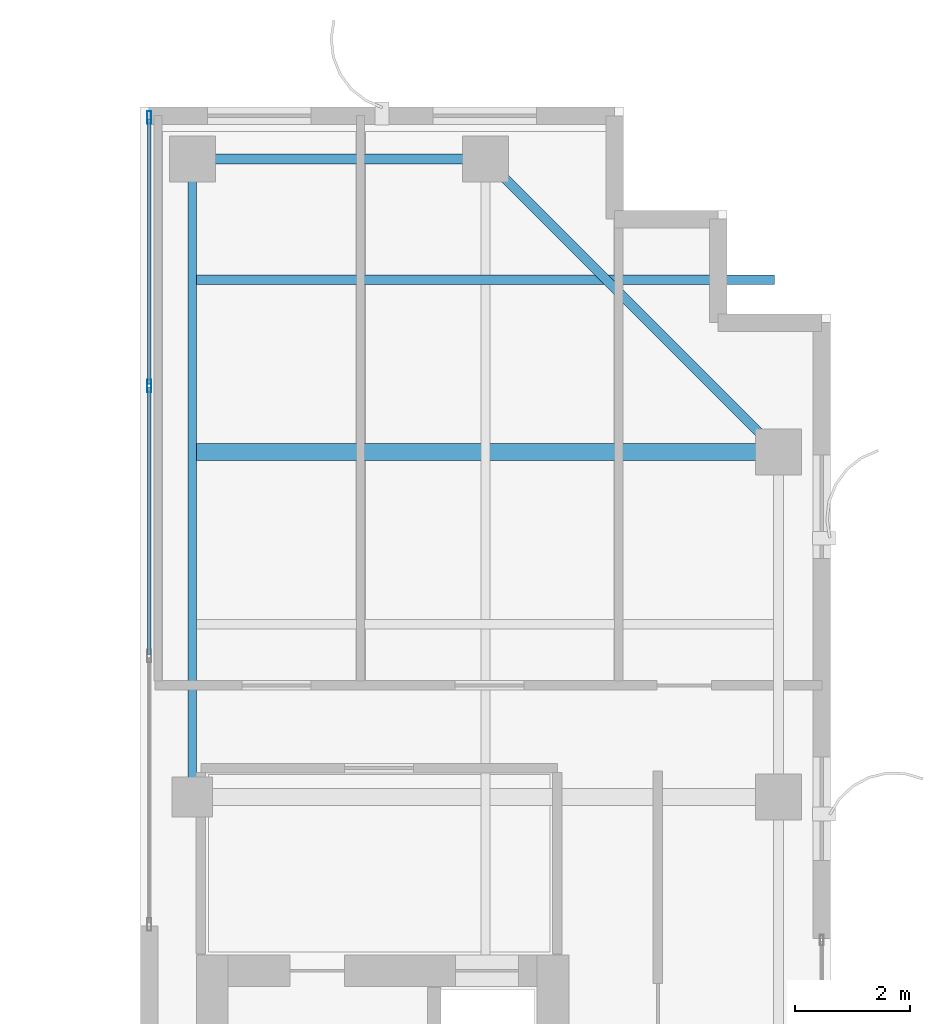
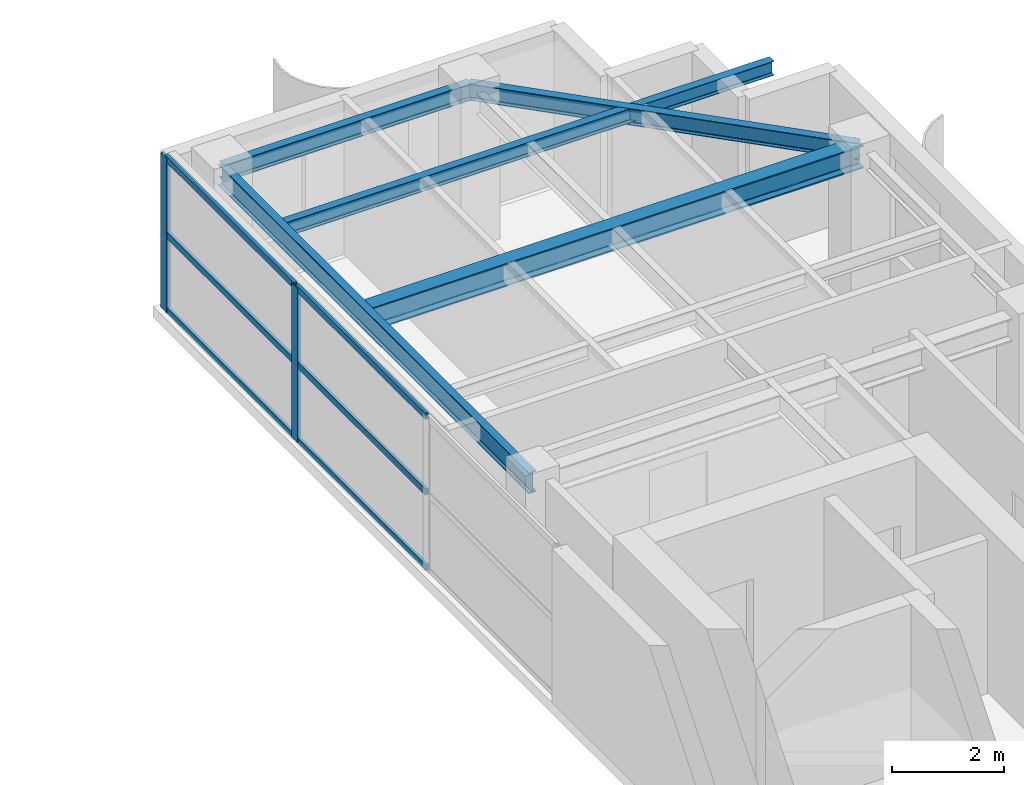
# One storey, part 16 of 24: 8 members, 5 beams, 1 element without a shape of its own.
"""IFC4 building model written with IfcOpenShell, lengths in metres."""

from ifc_helpers import new_model, si_unit, direction, frame, origin, origin_2d, place, context, subcontext, project, spatial, hollow_rectangle, i_section, extrude, source, transform, mapped, material, layer, layer_set, material_profile, profile_set, type_object, element, aggregate, save


model = new_model("IFC4")

# Units and contexts
model_context = context("Model", 3, precision=1e-05, world=origin(), true_north=direction((0.0, 1.0)))
body_context = subcontext(model_context, "Body", "Model", "MODEL_VIEW")
ifc_project = project(units=[si_unit("LENGTHUNIT", "METRE"), si_unit("AREAUNIT", "SQUARE_METRE"), si_unit("VOLUMEUNIT", "CUBIC_METRE"), si_unit("PLANEANGLEUNIT", "RADIAN"), si_unit("MASSUNIT", "GRAM", prefix="KILO")], contexts=[model_context])

# Site, building, storey
site_placement = place(None, origin())
site = spatial("IfcSite", under=ifc_project, at=site_placement, CompositionType="ELEMENT")
building_placement = place(site_placement, origin())
building = spatial("IfcBuilding", under=site, at=building_placement, Name="Khoralis Quay Care Tower", CompositionType="ELEMENT")
storey_placement = place(building_placement, frame((0.0, 0.0, 231.300048828125)))
storey = spatial("IfcBuildingStorey", under=building, at=storey_placement, Name="L60", CompositionType="ELEMENT", Elevation=231.300048828125)

# Beams
ifc_material_1 = material(Name="Steel S355", Category="steel")
ifc_material_profile_1 = material_profile(ifc_material_1, i_section(OverallWidth=0.169921875, OverallDepth=0.360107421875, WebThickness=0.008056640625, FlangeThickness=0.0126953125, FilletRadius=0.01806640625, at=origin_2d()), Name="Steel S355")
ifc_profile_set_1 = profile_set([ifc_material_profile_1], Name="Steel S355")
beam_type_1 = type_object("IfcBeamType", Name="BM-IPE360", PredefinedType="SPANDREL", material=ifc_profile_set_1)
shared_shape_1 = source(origin(), body_context, "Body", "SweptSolid", [
    extrude(i_section(OverallWidth=0.169921875, OverallDepth=0.360107421875, WebThickness=0.008056640625, FlangeThickness=0.0126953125, FilletRadius=0.01806640625, at=origin_2d()), origin(), (0.0, 0.0, 1.0), 5.10009765625),
])
beam_1_placement = place(storey_placement, frame((30.89990234375, 41.10009765625, 3.179931640625), z_axis=(1.0, 0.0, 0.0), x_axis=(0.0, 1.0, 0.0)))
element("IfcBeam", 1, at=beam_1_placement, inside=storey, type_object=beam_type_1, Name="BM-TSP-L60-04", PredefinedType="SPANDREL", context=body_context, shape_type="MappedRepresentation", body=[
    mapped(shared_shape_1, transform((0.0, 0.0, 0.0), scale=1.0)),
])
ifc_material_profile_2 = material_profile(ifc_material_1, i_section(OverallWidth=0.154052734375, OverallDepth=0.458984375, WebThickness=0.009033203125, FlangeThickness=0.015380859375, FilletRadius=0.014892578125, at=origin_2d()), Name="Steel S355")
ifc_profile_set_2 = profile_set([ifc_material_profile_2], Name="Steel S355")
beam_type_2 = type_object("IfcBeamType", Name="BM-W460X68", PredefinedType="BEAM", material=ifc_profile_set_2)
shared_shape_2 = source(origin(), body_context, "Body", "SweptSolid", [
    extrude(i_section(OverallWidth=0.154052734375, OverallDepth=0.458984375, WebThickness=0.009033203125, FlangeThickness=0.015380859375, FilletRadius=0.014892578125, at=origin_2d()), origin(), (0.0, 0.0, 1.0), 11.10009765625),
])
beam_2_placement = place(storey_placement, frame((30.89990234375, 30.0, 3.13037109375), z_axis=(0.0, 1.0, 0.0), x_axis=(-1.0, 0.0, 0.0)))
element("IfcBeam", 2, at=beam_2_placement, inside=storey, type_object=beam_type_2, Name="BM-TGYN-L60-309", PredefinedType="BEAM", context=body_context, shape_type="MappedRepresentation", body=[
    mapped(shared_shape_2, transform((0.0, 0.0, 0.0), scale=1.0)),
])
shared_shape_3 = source(origin(), body_context, "Body", "SweptSolid", [
    extrude(i_section(OverallWidth=0.169921875, OverallDepth=0.360107421875, WebThickness=0.008056640625, FlangeThickness=0.0126953125, FilletRadius=0.01806640625, at=origin_2d()), origin(), (0.0, 0.0, 1.0), 7.212646484375),
])
beam_3_placement = place(storey_placement, frame((36.0, 41.10009765625, 3.179931640625), z_axis=(0.707106781187, -0.707106781187, 0.0), x_axis=(0.707106781187, 0.707106781187, 0.0)))
element("IfcBeam", 3, at=beam_3_placement, inside=storey, type_object=beam_type_1, Name="BM-TCR-L60-16", PredefinedType="SPANDREL", context=body_context, shape_type="MappedRepresentation", body=[
    mapped(shared_shape_3, transform((0.0, 0.0, 0.0), scale=1.0)),
])
ifc_material_profile_3 = material_profile(ifc_material_1, i_section(OverallWidth=0.300048828125, OverallDepth=0.5, WebThickness=0.014404296875, FlangeThickness=0.028076171875, FilletRadius=0.027099609375, at=origin_2d()), Name="Steel S355")
ifc_profile_set_3 = profile_set([ifc_material_profile_3], Name="Steel S355")
beam_type_3 = type_object("IfcBeamType", Name="BM-HEB500", PredefinedType="BEAM", material=ifc_profile_set_3)
shared_shape_4 = source(origin(), body_context, "Body", "SweptSolid", [
    extrude(i_section(OverallWidth=0.300048828125, OverallDepth=0.5, WebThickness=0.014404296875, FlangeThickness=0.028076171875, FilletRadius=0.027099609375, at=origin_2d()), origin(), (0.0, 0.0, 1.0), 10.135009765625),
])
beam_4_placement = place(storey_placement, frame((30.965087890625, 36.0, 3.10986328125), z_axis=(1.0, 0.0, 0.0), x_axis=(0.0, 1.0, 0.0)))
element("IfcBeam", 4, at=beam_4_placement, inside=storey, type_object=beam_type_3, Name="BM-TGXE-L60-360", PredefinedType="BEAM", context=body_context, shape_type="MappedRepresentation", body=[
    mapped(shared_shape_4, transform((0.0, 0.0, 0.0), scale=1.0)),
])
ifc_material_profile_4 = material_profile(ifc_material_1, i_section(OverallWidth=0.1650390625, OverallDepth=0.31005859375, WebThickness=0.005859375, FlangeThickness=0.009765625, FilletRadius=0.011962890625, at=origin_2d()), Name="Steel S355")
ifc_profile_set_4 = profile_set([ifc_material_profile_4], Name="Steel S355")
beam_type_4 = type_object("IfcBeamType", Name="BM-W310X39", PredefinedType="JOIST", material=ifc_profile_set_4)
shared_shape_5 = source(origin(), body_context, "Body", "SweptSolid", [
    extrude(i_section(OverallWidth=0.1650390625, OverallDepth=0.31005859375, WebThickness=0.005859375, FlangeThickness=0.009765625, FilletRadius=0.011962890625, at=origin_2d()), origin(), (0.0, 0.0, 1.0), 10.06396484375),
])
beam_5_placement = place(storey_placement, frame((30.965087890625, 39.0, 3.204833984375), z_axis=(1.0, 0.0, 0.0), x_axis=(0.0, 1.0, 0.0)))
element("IfcBeam", 5, at=beam_5_placement, inside=storey, type_object=beam_type_4, Name="BM-TJS-L60-22", PredefinedType="JOIST", context=body_context, shape_type="MappedRepresentation", body=[
    mapped(shared_shape_5, transform((0.0, 0.0, 0.0), scale=1.0)),
])

# Curtain wall, members
ifc_material_2 = material(Name="Pale anodised aluminium", Category="aluminium")
ifc_layer = layer(ifc_material_2, 0.18994140625)
ifc_layer_set = layer_set([ifc_layer], Name="Pale anodised aluminium")
curtain_wall_type = type_object("IfcCurtainWallType", Name="CW-SYS-PORTAL", PredefinedType="NOTDEFINED", material=ifc_layer_set)
curtain_wall_placement = place(storey_placement, origin())
curtain_wall = element("IfcCurtainWall", 6, at=curtain_wall_placement, inside=storey, type_object=curtain_wall_type, Name="L60 Unitised Curtain Wall CW-VP-L60-P2-N", PredefinedType="NOTDEFINED")
ifc_material_profile_5 = material_profile(ifc_material_2, hollow_rectangle(XDim=0.06005859375, YDim=0.139892578125, WallThickness=0.00390625, at=origin_2d()), Name="Pale anodised aluminium")
ifc_profile_set_5 = profile_set([ifc_material_profile_5], Name="Pale anodised aluminium")
member_type_1 = type_object("IfcMemberType", Name="CW-TRN-140", PredefinedType="USERDEFINED", material=ifc_profile_set_5)
shared_shape_6 = source(origin(), body_context, "Body", "SweptSolid", [
    extrude(hollow_rectangle(XDim=0.06005859375, YDim=0.139892578125, WallThickness=0.00390625, at=origin_2d()), origin(), (0.0, 0.0, 1.0), 4.610107421875),
])
member_1_placement = place(storey_placement, frame((30.14990234375, 37.179931640625, 0.030029296875), z_axis=(0.0, 1.0, 0.0), x_axis=(-1.0, 0.0, 0.0)))
member_1 = element("IfcMember", 7, at=member_1_placement, type_object=member_type_1, Name="CW4 transom 3.1", ObjectType="TRANSOM", PredefinedType="USERDEFINED", context=body_context, shape_type="MappedRepresentation", body=[
    mapped(shared_shape_6, transform((0.0, 0.0, 0.0), scale=1.0)),
])
member_2_placement = place(storey_placement, frame((30.14990234375, 37.179931640625, 1.679931640625), z_axis=(0.0, 1.0, 0.0), x_axis=(-1.0, 0.0, 0.0)))
member_2 = element("IfcMember", 8, at=member_2_placement, type_object=member_type_1, Name="CW4 transom 3.2", ObjectType="TRANSOM", PredefinedType="USERDEFINED", context=body_context, shape_type="MappedRepresentation", body=[
    mapped(shared_shape_6, transform((0.0, 0.0, 0.0), scale=1.0)),
])
member_3_placement = place(storey_placement, frame((30.14990234375, 37.179931640625, 3.329833984375), z_axis=(0.0, 1.0, 0.0), x_axis=(-1.0, 0.0, 0.0)))
member_3 = element("IfcMember", 9, at=member_3_placement, type_object=member_type_1, Name="CW4 transom 3.3", ObjectType="TRANSOM", PredefinedType="USERDEFINED", context=body_context, shape_type="MappedRepresentation", body=[
    mapped(shared_shape_6, transform((0.0, 0.0, 0.0), scale=1.0)),
])
shared_shape_7 = source(origin(), body_context, "Body", "SweptSolid", [
    extrude(hollow_rectangle(XDim=0.06005859375, YDim=0.139892578125, WallThickness=0.00390625, at=origin_2d()), origin(), (0.0, 0.0, 1.0), 4.64013671875),
])
member_4_placement = place(storey_placement, frame((30.14990234375, 32.47998046875, 0.030029296875), z_axis=(0.0, 1.0, 0.0), x_axis=(-1.0, 0.0, 0.0)))
member_4 = element("IfcMember", 10, at=member_4_placement, type_object=member_type_1, Name="CW4 transom 2.1", ObjectType="TRANSOM", PredefinedType="USERDEFINED", context=body_context, shape_type="MappedRepresentation", body=[
    mapped(shared_shape_7, transform((0.0, 0.0, 0.0), scale=1.0)),
])
member_5_placement = place(storey_placement, frame((30.14990234375, 32.47998046875, 1.679931640625), z_axis=(0.0, 1.0, 0.0), x_axis=(-1.0, 0.0, 0.0)))
member_5 = element("IfcMember", 11, at=member_5_placement, type_object=member_type_1, Name="CW4 transom 2.2", ObjectType="TRANSOM", PredefinedType="USERDEFINED", context=body_context, shape_type="MappedRepresentation", body=[
    mapped(shared_shape_7, transform((0.0, 0.0, 0.0), scale=1.0)),
])
member_6_placement = place(storey_placement, frame((30.14990234375, 32.47998046875, 3.329833984375), z_axis=(0.0, 1.0, 0.0), x_axis=(-1.0, 0.0, 0.0)))
member_6 = element("IfcMember", 12, at=member_6_placement, type_object=member_type_1, Name="CW4 transom 2.3", ObjectType="TRANSOM", PredefinedType="USERDEFINED", context=body_context, shape_type="MappedRepresentation", body=[
    mapped(shared_shape_7, transform((0.0, 0.0, 0.0), scale=1.0)),
])
ifc_material_profile_6 = material_profile(ifc_material_2, hollow_rectangle(XDim=0.074951171875, YDim=0.219970703125, WallThickness=0.00390625, at=origin_2d()), Name="Pale anodised aluminium")
ifc_profile_set_6 = profile_set([ifc_material_profile_6], Name="Pale anodised aluminium")
member_type_2 = type_object("IfcMemberType", Name="CW-MUL-220", PredefinedType="MULLION", material=ifc_profile_set_6)
shared_shape_8 = source(origin(), body_context, "Body", "SweptSolid", [
    extrude(hollow_rectangle(XDim=0.074951171875, YDim=0.219970703125, WallThickness=0.00390625, at=origin_2d()), origin(), (0.0, 0.0, 1.0), 3.35986328125),
])
member_7_placement = place(storey_placement, frame((30.14990234375, 37.14990234375, 0.0), z_axis=(0.0, 0.0, 1.0), x_axis=(-1.0, 0.0, 0.0)))
member_7 = element("IfcMember", 13, at=member_7_placement, type_object=member_type_2, Name="CW4 mullion 3", PredefinedType="MULLION", context=body_context, shape_type="MappedRepresentation", body=[
    mapped(shared_shape_8, transform((0.0, 0.0, 0.0), scale=1.0)),
])
member_8_placement = place(storey_placement, frame((30.14990234375, 41.820068359375, 0.0), z_axis=(0.0, 0.0, 1.0), x_axis=(-1.0, 0.0, 0.0)))
member_8 = element("IfcMember", 14, at=member_8_placement, type_object=member_type_2, Name="CW4 mullion 4", PredefinedType="MULLION", context=body_context, shape_type="MappedRepresentation", body=[
    mapped(shared_shape_8, transform((0.0, 0.0, 0.0), scale=1.0)),
])
aggregate(curtain_wall, [member_7, member_8, member_4, member_5, member_6, member_1, member_2, member_3])

save(model, "model.ifc")
